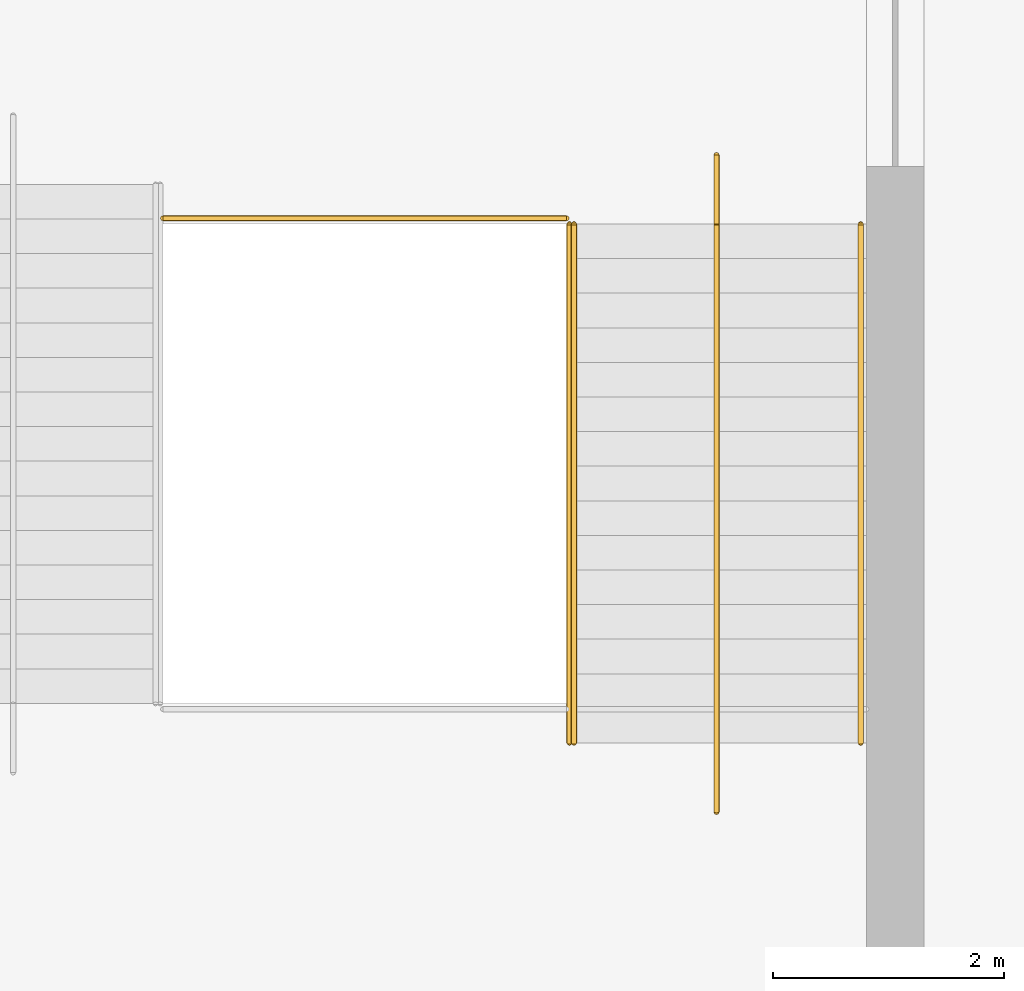
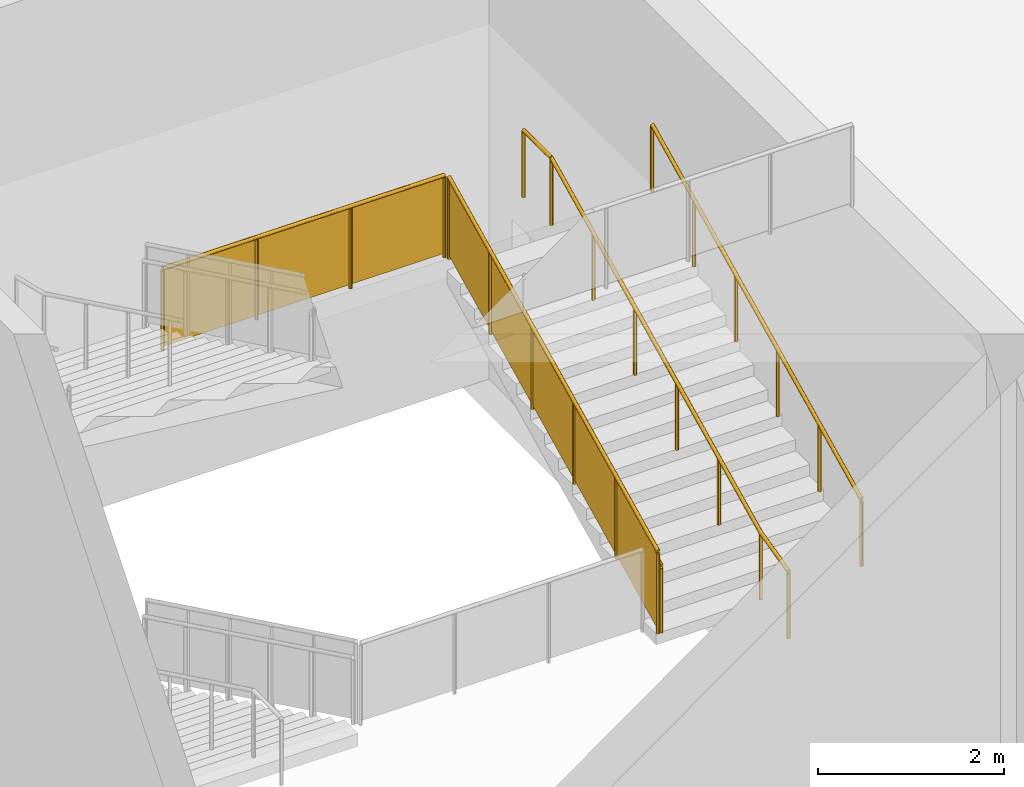
# One storey, part 91 of 92: 5 railings.
"""IFC4 building model written with IfcOpenShell, lengths in metres."""

from ifc_helpers import new_model, si_unit, direction, frame, origin, origin_2d, place, context, subcontext, project, spatial, polyline, circle, outline, extrude, material, type_object, element, save


model = new_model("IFC4")

# Units and contexts
model_context = context("Model", 3, precision=1e-05, world=origin(), true_north=direction((0.0, 1.0)))
body_context = subcontext(model_context, "Body", "Model", "MODEL_VIEW")
ifc_project = project(units=[si_unit("LENGTHUNIT", "METRE"), si_unit("AREAUNIT", "SQUARE_METRE"), si_unit("VOLUMEUNIT", "CUBIC_METRE"), si_unit("PLANEANGLEUNIT", "RADIAN"), si_unit("MASSUNIT", "GRAM", prefix="KILO")], contexts=[model_context])

# Site, building, storey
site_placement = place(None, origin())
site = spatial("IfcSite", under=ifc_project, at=site_placement, CompositionType="ELEMENT")
building_placement = place(site_placement, origin())
building = spatial("IfcBuilding", under=site, at=building_placement, Name="Silverbay Arena", CompositionType="ELEMENT")
storey_placement = place(building_placement, origin())
storey = spatial("IfcBuildingStorey", under=building, at=storey_placement, Name="L00", CompositionType="ELEMENT", Elevation=0.0)

# Railings
ifc_material_1 = material(Name="Stainless steel", Category="steel")
railing_type_1 = type_object("IfcRailingType", Name="Stair guard 1100", PredefinedType="GUARDRAIL", material=ifc_material_1)
railing_1_placement = place(storey_placement, frame((231.425048828125, 128.89990234375, 2.479248046875)))
element("IfcRailing", 1, at=railing_1_placement, inside=storey, type_object=railing_type_1, Name="Stair ST-EG2 L00 to L01 flight 2 guard left", PredefinedType="GUARDRAIL", context=body_context, shape_type="SweptSolid", body=[
    extrude(circle(Radius=0.02392578125, at=origin_2d()), frame((0.0, 0.0, 1.076171875), z_axis=(0.0, 0.899367854138, 0.437192706873), x_axis=(-1.0, 0.0, 0.0)), (0.0, 0.0, 1.0), 5.00341796875),
    extrude(outline(polyline([(-0.008056640625, 0.046142578125), (0.907958984375, 0.491455078125), (0.907958984375, 1.494384765625), (-0.008056640625, 1.049072265625), (-0.008056640625, 0.046142578125)])), frame((-0.0029296875, 0.0, 0.0), z_axis=(1.0, 0.0, 0.0), x_axis=(0.0, 1.0, 0.0)), (0.0, 0.0, 1.0), 0.006103515625),
    extrude(outline(polyline([(-0.008056640625, 0.483642578125), (0.907958984375, 0.928955078125), (0.907958984375, 1.931884765625), (-0.008056640625, 1.486572265625), (-0.008056640625, 0.483642578125)])), frame((-0.0029296875, 0.89990234375, 0.0), z_axis=(1.0, 0.0, 0.0), x_axis=(0.0, 1.0, 0.0)), (0.0, 0.0, 1.0), 0.006103515625),
    extrude(outline(polyline([(-0.008056640625, 0.921142578125), (0.907958984375, 1.366455078125), (0.907958984375, 2.369384765625), (-0.008056640625, 1.924072265625), (-0.008056640625, 0.921142578125)])), frame((-0.0029296875, 1.800048828125, 0.0), z_axis=(1.0, 0.0, 0.0), x_axis=(0.0, 1.0, 0.0)), (0.0, 0.0, 1.0), 0.006103515625),
    extrude(outline(polyline([(-0.008056640625, 1.358642578125), (0.907958984375, 1.803955078125), (0.907958984375, 2.806884765625), (-0.008056640625, 2.361572265625), (-0.008056640625, 1.358642578125)])), frame((-0.0029296875, 2.699951171875, 0.0), z_axis=(1.0, 0.0, 0.0), x_axis=(0.0, 1.0, 0.0)), (0.0, 0.0, 1.0), 0.006103515625),
    extrude(outline(polyline([(-0.008056640625, 1.796142578125), (0.907958984375, 2.241455078125), (0.907958984375, 3.244384765625), (-0.008056640625, 2.799072265625), (-0.008056640625, 1.796142578125)])), frame((-0.0029296875, 3.60009765625, 0.0), z_axis=(1.0, 0.0, 0.0), x_axis=(0.0, 1.0, 0.0)), (0.0, 0.0, 1.0), 0.006103515625),
    extrude(circle(Radius=0.02099609375, at=origin_2d()), origin(), (0.0, 0.0, 1.0), 1.052001953125),
    extrude(circle(Radius=0.02099609375, at=origin_2d()), frame((0.0, 0.89990234375, 0.4375)), (0.0, 0.0, 1.0), 1.052001953125),
    extrude(circle(Radius=0.02099609375, at=origin_2d()), frame((0.0, 1.800048828125, 0.875)), (0.0, 0.0, 1.0), 1.052001953125),
    extrude(circle(Radius=0.02099609375, at=origin_2d()), frame((0.0, 2.699951171875, 1.3125)), (0.0, 0.0, 1.0), 1.052001953125),
    extrude(circle(Radius=0.02099609375, at=origin_2d()), frame((0.0, 3.60009765625, 1.75)), (0.0, 0.0, 1.0), 1.052001953125),
    extrude(circle(Radius=0.02099609375, at=origin_2d()), frame((0.0, 4.5, 2.1875)), (0.0, 0.0, 1.0), 1.052001953125),
])
railing_2_placement = place(storey_placement, frame((227.89990234375, 133.449951171875, 4.666748046875)))
element("IfcRailing", 2, at=railing_2_placement, inside=storey, type_object=railing_type_1, Name="Stair ST-EG2 L00 to L01 landing 2 guard", PredefinedType="GUARDRAIL", context=body_context, shape_type="SweptSolid", body=[
    extrude(circle(Radius=0.02392578125, at=origin_2d()), frame((0.0, 0.0, 1.076171875), z_axis=(1.0, 0.0, 0.0), x_axis=(0.0, 1.0, 0.0)), (0.0, 0.0, 1.0), 3.5),
    extrude(outline(polyline([(-0.008056640625, 0.050048828125), (1.174560546875, 0.050048828125), (1.174560546875, 1.052978515625), (-0.008056640625, 1.052978515625), (-0.008056640625, 0.050048828125)])), frame((0.0, 0.0029296875, 0.0), z_axis=(0.0, -1.0, 0.0), x_axis=(1.0, 0.0, 0.0)), (0.0, 0.0, 1.0), 0.006103515625),
    extrude(outline(polyline([(-0.008056640625, 0.050048828125), (1.174560546875, 0.050048828125), (1.174560546875, 1.052978515625), (-0.008056640625, 1.052978515625), (-0.008056640625, 0.050048828125)])), frame((1.166748046875, 0.0029296875, 0.0), z_axis=(0.0, -1.0, 0.0), x_axis=(1.0, 0.0, 0.0)), (0.0, 0.0, 1.0), 0.006103515625),
    extrude(outline(polyline([(-0.008056640625, 0.050048828125), (1.174560546875, 0.050048828125), (1.174560546875, 1.052978515625), (-0.008056640625, 1.052978515625), (-0.008056640625, 0.050048828125)])), frame((2.333251953125, 0.0029296875, 0.0), z_axis=(0.0, -1.0, 0.0), x_axis=(1.0, 0.0, 0.0)), (0.0, 0.0, 1.0), 0.006103515625),
    extrude(circle(Radius=0.02099609375, at=origin_2d()), origin(), (0.0, 0.0, 1.0), 1.052001953125),
    extrude(circle(Radius=0.02099609375, at=origin_2d()), frame((1.166748046875, 0.0, 0.0)), (0.0, 0.0, 1.0), 1.052001953125),
    extrude(circle(Radius=0.02099609375, at=origin_2d()), frame((2.333251953125, 0.0, 0.0)), (0.0, 0.0, 1.0), 1.052001953125),
    extrude(circle(Radius=0.02099609375, at=origin_2d()), frame((3.5, 0.0, 0.0)), (0.0, 0.0, 1.0), 1.052001953125),
])
ifc_material_2 = material(Name="Stainless steel", Category="steel")
railing_type_2 = type_object("IfcRailingType", Name="Stair handrail 900", PredefinedType="HANDRAIL", material=ifc_material_2)
for number, where, name in (
    (3, (231.464111328125, 128.89990234375, 2.479248046875), "Stair ST-EG2 L00 to L01 flight 2 handrail left"),
    (4, (233.949951171875, 128.89990234375, 2.479248046875), "Stair ST-EG2 L00 to L01 flight 2 handrail right"),
):
    element("IfcRailing", number, at=place(storey_placement, frame(where)), inside=storey, type_object=railing_type_2, Name=name, PredefinedType="HANDRAIL", context=body_context, shape_type="SweptSolid", body=[
        extrude(circle(Radius=0.02392578125, at=origin_2d()), frame((0.0, 0.0, 0.8759765625), z_axis=(0.0, 0.899367854138, 0.437192706873), x_axis=(-1.0, 0.0, 0.0)), (0.0, 0.0, 1.0), 5.00341796875),
        extrude(circle(Radius=0.02099609375, at=origin_2d()), origin(), (0.0, 0.0, 1.0), 0.851806640625),
        extrude(circle(Radius=0.02099609375, at=origin_2d()), frame((0.0, 0.89990234375, 0.4375)), (0.0, 0.0, 1.0), 0.851806640625),
        extrude(circle(Radius=0.02099609375, at=origin_2d()), frame((0.0, 1.800048828125, 0.875)), (0.0, 0.0, 1.0), 0.851806640625),
        extrude(circle(Radius=0.02099609375, at=origin_2d()), frame((0.0, 2.699951171875, 1.3125)), (0.0, 0.0, 1.0), 0.851806640625),
        extrude(circle(Radius=0.02099609375, at=origin_2d()), frame((0.0, 3.60009765625, 1.75)), (0.0, 0.0, 1.0), 0.851806640625),
        extrude(circle(Radius=0.02099609375, at=origin_2d()), frame((0.0, 4.5, 2.1875)), (0.0, 0.0, 1.0), 0.851806640625),
    ])
railing_3_placement = place(storey_placement, frame((232.699951171875, 128.300048828125, 2.333251953125)))
element("IfcRailing", 5, at=railing_3_placement, inside=storey, type_object=railing_type_2, Name="Stair ST-EG2 L00 to L01 flight 2 central handrail", PredefinedType="HANDRAIL", context=body_context, shape_type="SweptSolid", body=[
    extrude(circle(Radius=0.02392578125, at=origin_2d()), frame((0.0, 0.0, 0.8759765625), z_axis=(0.0, 0.971635685089, 0.236482759334), x_axis=(-1.0, 0.0, 0.0)), (0.0, 0.0, 1.0), 0.617431640625),
    extrude(circle(Radius=0.02392578125, at=origin_2d()), frame((0.0, 0.599853515625, 1.02197265625), z_axis=(0.0, 0.899367854138, 0.437192706873), x_axis=(-1.0, 0.0, 0.0)), (0.0, 0.0, 1.0), 5.00341796875),
    extrude(circle(Radius=0.02392578125, at=origin_2d()), frame((0.0, 5.099853515625, 3.20947265625), z_axis=(0.0, 1.0, 0.0), x_axis=(-1.0, 0.0, 0.0)), (0.0, 0.0, 1.0), 0.60009765625),
    extrude(circle(Radius=0.02099609375, at=origin_2d()), origin(), (0.0, 0.0, 1.0), 0.851806640625),
    extrude(circle(Radius=0.02099609375, at=origin_2d()), frame((0.0, 0.599853515625, 0.14599609375)), (0.0, 0.0, 1.0), 0.851806640625),
    extrude(circle(Radius=0.02099609375, at=origin_2d()), frame((0.0, 1.499755859375, 0.58349609375)), (0.0, 0.0, 1.0), 0.851806640625),
    extrude(circle(Radius=0.02099609375, at=origin_2d()), frame((0.0, 2.39990234375, 1.02099609375)), (0.0, 0.0, 1.0), 0.851806640625),
    extrude(circle(Radius=0.02099609375, at=origin_2d()), frame((0.0, 3.2998046875, 1.45849609375)), (0.0, 0.0, 1.0), 0.851806640625),
    extrude(circle(Radius=0.02099609375, at=origin_2d()), frame((0.0, 4.199951171875, 1.89599609375)), (0.0, 0.0, 1.0), 0.851806640625),
    extrude(circle(Radius=0.02099609375, at=origin_2d()), frame((0.0, 5.099853515625, 2.33349609375)), (0.0, 0.0, 1.0), 0.851806640625),
    extrude(circle(Radius=0.02099609375, at=origin_2d()), frame((0.0, 5.699951171875, 2.33349609375)), (0.0, 0.0, 1.0), 0.851806640625),
])

save(model, "model.ifc")
